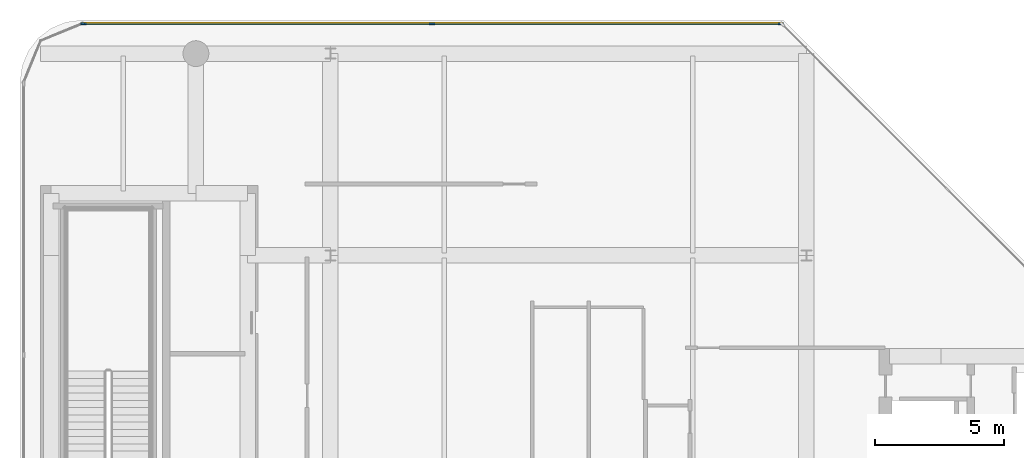
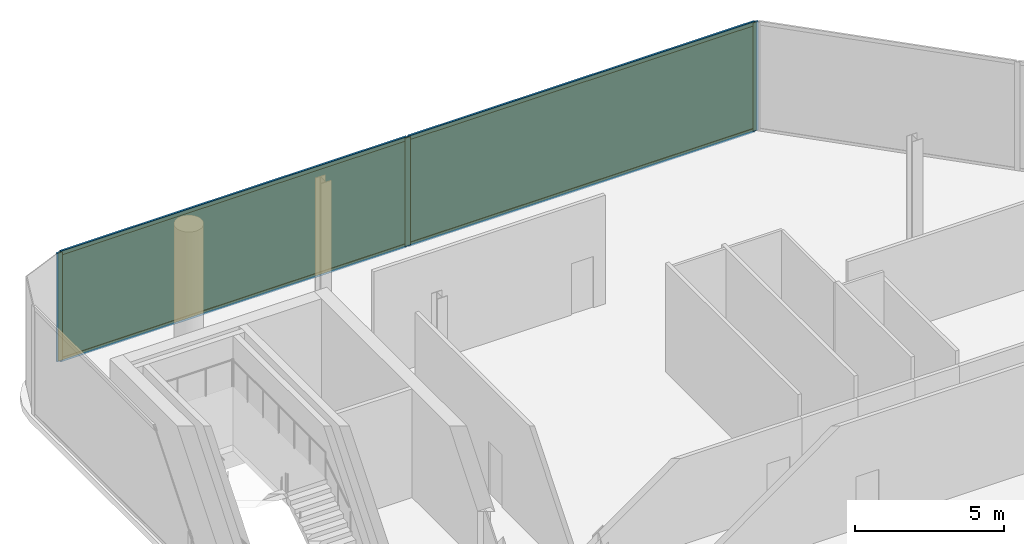
# One storey, part 9 of 14: 7 members, 2 plates, 1 curtain wall.
"""IFC4 building model written with IfcOpenShell, lengths in metres."""

import ifcopenshell
import ifcopenshell.guid

model = None  # the IFC model being written
_history = None  # IfcOwnerHistory: only IFC2X3 demands one
_inside = {}  # id of a spatial element -> (the spatial element, [elements in it])
_under = {}  # id of a project, library or spatial element -> (it, [spatial elements below it])
_declared = {}  # id of a project -> (the project, [libraries it declares])
_typed = {}  # id of a type object -> (the type object, [elements of that type])
_made_of = {}  # id of a material, layer set ... -> (it, [elements and type objects made of it])


def new_model(schema):
    """Start an empty IFC model of exactly this schema.

    Asked for "IFC4X3", IfcOpenShell would pick the latest addendum, in which some entities
    have other attributes; the version numbers below select the first issue.
    IFC2X3 requires an IfcOwnerHistory on every rooted entity: one is made here for all.
    """
    global model, _history
    if schema == "IFC4X3":
        model = ifcopenshell.file(schema_version=(4, 3, 0, 0))
    else:
        model = ifcopenshell.file(schema=schema)
    _inside.clear()
    _under.clear()
    _declared.clear()
    _typed.clear()
    _made_of.clear()
    _history = None
    if model.schema == "IFC2X3":
        org = make("IfcOrganization", Name="unknown")
        user = make(
            "IfcPersonAndOrganization",
            ThePerson=make("IfcPerson", FamilyName="unknown"),
            TheOrganization=org,
        )
        app = make(
            "IfcApplication",
            ApplicationDeveloper=org,
            Version="unknown",
            ApplicationFullName="unknown",
            ApplicationIdentifier="unknown",
        )
        _history = make(
            "IfcOwnerHistory",
            OwningUser=user,
            OwningApplication=app,
            ChangeAction="ADDED",
            CreationDate=0,
        )
    return model


def make(cls, **values):
    """One entity of the class cls with the attributes given. An attribute that is None is left unset."""
    return model.create_entity(
        cls, **{name: value for name, value in values.items() if value is not None}
    )


def rooted(cls, **values):
    """An entity with a GlobalId (a new one), such as an element, a storey or a relation."""
    return make(cls, GlobalId=ifcopenshell.guid.new(), OwnerHistory=_history, **values)


def si_unit(unit_type, name, prefix=None):
    """IfcSIUnit, for example si_unit("LENGTHUNIT", "METRE", prefix="MILLI")."""
    return make("IfcSIUnit", UnitType=unit_type, Prefix=prefix, Name=name)


def assignment(units):
    """IfcUnitAssignment: the units of a project."""
    return None if units is None else make("IfcUnitAssignment", Units=units)


def point(xyz):
    """IfcCartesianPoint."""
    return None if xyz is None else make("IfcCartesianPoint", Coordinates=xyz)


def direction(xyz):
    """IfcDirection."""
    return None if xyz is None else make("IfcDirection", DirectionRatios=xyz)


def frame(location, z_axis=None, x_axis=None):
    """IfcAxis2Placement3D, a coordinate frame: its origin and axes. An axis left out is left unset."""
    return make(
        "IfcAxis2Placement3D",
        Location=point(location),
        Axis=direction(z_axis),
        RefDirection=direction(x_axis),
    )


def frame_2d(location, x_axis=None):
    """IfcAxis2Placement2D, a coordinate frame in the plane: its origin and x axis."""
    return make(
        "IfcAxis2Placement2D", Location=point(location), RefDirection=direction(x_axis)
    )


def origin():
    """The frame at (0, 0, 0) with its axes left unset."""
    return frame((0.0, 0.0, 0.0))


def origin_2d():
    """The frame at (0, 0) in the plane with its x axis left unset."""
    return frame_2d((0.0, 0.0))


def place(relative_to, where):
    """IfcLocalPlacement: puts the frame where relative to a parent placement (None: the world)."""
    return make(
        "IfcLocalPlacement", PlacementRelTo=relative_to, RelativePlacement=where
    )


def context(
    kind, dimensions, precision=None, world=None, true_north=None, identifier=None
):
    """IfcGeometricRepresentationContext, for example the 3D "Model" context."""
    return make(
        "IfcGeometricRepresentationContext",
        ContextIdentifier=identifier,
        ContextType=kind,
        CoordinateSpaceDimension=dimensions,
        Precision=precision,
        WorldCoordinateSystem=world,
        TrueNorth=true_north,
    )


def subcontext(parent, identifier, kind, view, scale=None):
    """IfcGeometricRepresentationSubContext, for example "Body" below "Model"."""
    return make(
        "IfcGeometricRepresentationSubContext",
        ContextIdentifier=identifier,
        ContextType=kind,
        ParentContext=parent,
        TargetScale=scale,
        TargetView=view,
    )


def project(units=None, contexts=None):
    """IfcProject with its units and contexts."""
    return rooted(
        "IfcProject",
        Name="project",
        RepresentationContexts=contexts,
        UnitsInContext=assignment(units),
    )


def spatial(cls, under=None, at=None, **own):
    """A site, building, storey or space (cls), placed at a placement, below another one or the project."""
    s = rooted(cls, ObjectPlacement=at, **own)
    if under is not None:
        _under.setdefault(under.id(), (under, []))[1].append(s)
    return s


def profile(cls, at=None, kind="AREA", **sizes):
    """A parametric profile (cls). Its sizes go by their IFC names, for example OverallWidth=200.0."""
    return make(cls, ProfileType=kind, Position=at, **sizes)


def rectangle(**sizes):
    """IfcRectangleProfileDef."""
    return profile("IfcRectangleProfileDef", **sizes)


def extrude(swept, where, along, depth):
    """IfcExtrudedAreaSolid: the profile swept, set in the frame where, extruded along a direction by depth."""
    return make(
        "IfcExtrudedAreaSolid",
        SweptArea=swept,
        Position=where,
        ExtrudedDirection=direction(along),
        Depth=depth,
    )


def shape(context_of_items, identifier, shape_type, items):
    """IfcShapeRepresentation: the items that make up one representation, for example the "Body"."""
    return make(
        "IfcShapeRepresentation",
        ContextOfItems=context_of_items,
        RepresentationIdentifier=identifier,
        RepresentationType=shape_type,
        Items=items,
    )


def material(Name=None, Category=None):
    """IfcMaterial."""
    return make("IfcMaterial", Name=Name, Category=Category)


def layer(
    of_material, thickness, ventilated=None, Name=None, Category=None, Priority=None
):
    """IfcMaterialLayer: one layer of a wall or slab, of a material (None: an air gap)."""
    return make(
        "IfcMaterialLayer",
        Material=of_material,
        LayerThickness=thickness,
        IsVentilated=ventilated,
        Name=Name,
        Category=Category,
        Priority=Priority,
    )


def layer_set(layers, Name=None):
    """IfcMaterialLayerSet."""
    return make("IfcMaterialLayerSet", MaterialLayers=layers, LayerSetName=Name)


def material_profile(
    of_material, cross_section, Name=None, Category=None, Priority=None
):
    """IfcMaterialProfile: a cross section and its material."""
    return make(
        "IfcMaterialProfile",
        Name=Name,
        Material=of_material,
        Profile=cross_section,
        Priority=Priority,
        Category=Category,
    )


def profile_set(profiles, Name=None, composite=None):
    """IfcMaterialProfileSet."""
    return make(
        "IfcMaterialProfileSet",
        Name=Name,
        MaterialProfiles=profiles,
        CompositeProfile=composite,
    )


def made_of(thing, what):
    """Note that an element or type object is made of a material, layer set ...; save() writes the relation."""
    if what is not None:
        _made_of.setdefault(what.id(), (what, []))[1].append(thing)
    return thing


def type_object(cls, material=None, **own):
    """A type object (cls), such as IfcWallType, which elements share."""
    return made_of(rooted(cls, **own), material)


def element(
    cls,
    number,
    at=None,
    inside=None,
    cuts=None,
    type_object=None,
    material=None,
    context=None,
    identifier="Body",
    shape_type=None,
    held_by="IfcProductDefinitionShape",
    body=None,
    shapes=None,
    **own,
):
    """One element of the class cls, such as IfcWall. Its Tag is "e" and its number.

    at: its placement. inside: the storey or other place that contains it. cuts: it is an
    opening in that element (IfcRelVoidsElement). A single representation is given by context,
    identifier, shape_type and body (its items); several are given by shapes. held_by: the class
    of the entity that holds the representations. save() writes the other relations.
    """
    e = rooted(cls, Tag="e%d" % number, ObjectPlacement=at, **own)
    if body is not None:
        shapes = [shape(context, identifier, shape_type, body)]
    if shapes is not None:
        e.Representation = make(held_by, Representations=shapes)
    if inside is not None:
        _inside.setdefault(inside.id(), (inside, []))[1].append(e)
    if cuts is not None:
        rooted(
            "IfcRelVoidsElement", RelatingBuildingElement=cuts, RelatedOpeningElement=e
        )
    if type_object is not None:
        _typed.setdefault(type_object.id(), (type_object, []))[1].append(e)
    return made_of(e, material)


def aggregate(whole, parts):
    """IfcRelAggregates: a whole, such as a stair, and the parts it consists of."""
    return rooted("IfcRelAggregates", RelatingObject=whole, RelatedObjects=parts)


def save(model, path):
    """Write the relations noted so far, then the file.

    IfcRelAggregates (storeys below a building ...), IfcRelContainedInSpatialStructure (elements
    in a storey), IfcRelDefinesByType, IfcRelAssociatesMaterial and IfcRelDeclares: one each for
    every whole, place, type object, material and project.
    """
    for whole, parts in _under.values():
        aggregate(whole, parts)
    for where, things in _inside.values():
        rooted(
            "IfcRelContainedInSpatialStructure",
            RelatedElements=things,
            RelatingStructure=where,
        )
    for kind, things in _typed.values():
        rooted("IfcRelDefinesByType", RelatedObjects=things, RelatingType=kind)
    for what, things in _made_of.values():
        rooted("IfcRelAssociatesMaterial", RelatedObjects=things, RelatingMaterial=what)
    for by, libraries in _declared.values():
        rooted("IfcRelDeclares", RelatingContext=by, RelatedDefinitions=libraries)
    model.write(path)


model = new_model("IFC4")

# Units and contexts
model_context = context("Model", 3, precision=1e-05, world=origin(), true_north=direction((0.0, 1.0)))
body_context = subcontext(model_context, "Body", "Model", "MODEL_VIEW")
ifc_project = project(units=[si_unit("LENGTHUNIT", "METRE"), si_unit("AREAUNIT", "SQUARE_METRE"), si_unit("VOLUMEUNIT", "CUBIC_METRE"), si_unit("PLANEANGLEUNIT", "RADIAN"), si_unit("MASSUNIT", "GRAM", prefix="KILO")], contexts=[model_context])

# Member
ifc_material_1 = material(Name="Anodised Bronze Aluminium 6063-T6", Category="aluminium")
ifc_material_profile_1 = material_profile(ifc_material_1, rectangle(XDim=0.074951171875, YDim=0.2099609375, at=origin_2d()))
ifc_profile_set_1 = profile_set([ifc_material_profile_1], Name="Anodised Bronze Aluminium 6063-T6")
member_type_1 = type_object("IfcMemberType", Name="CW-CRN Mullion 75x210", PredefinedType="MULLION", material=ifc_profile_set_1)
site_placement = place(None, origin())
building_placement = place(site_placement, origin())
storey_placement = place(building_placement, frame((0.0, 0.0, 320.39990234375)))
member_1_placement = place(storey_placement, frame((-18.75341796875, 19.760009765625, 0.0), z_axis=(0.0, 0.0, 1.0), x_axis=(0.0, 1.0, 0.0)))
member_1 = element("IfcMember", 1, at=member_1_placement, type_object=member_type_1, Name="CW-CRN mullion 1", PredefinedType="MULLION", context=body_context, shape_type="SweptSolid", body=[
    extrude(rectangle(XDim=0.074951171875, YDim=0.2099609375, at=origin_2d()), origin(), (0.0, 0.0, 1.0), 4.4501953125),
])

member_2_placement = place(storey_placement, frame((-5.2744140625, 19.760009765625, 0.0), z_axis=(0.0, 0.0, 1.0), x_axis=(0.0, 1.0, 0.0)))
member_2 = element("IfcMember", 2, at=member_2_placement, type_object=member_type_1, Name="CW-CRN mullion 2", PredefinedType="MULLION", context=body_context, shape_type="SweptSolid", body=[
    extrude(rectangle(XDim=0.074951171875, YDim=0.2099609375, at=origin_2d()), origin(), (0.0, 0.0, 1.0), 4.4501953125),
])

member_3_placement = place(storey_placement, frame((8.20458984375, 19.760009765625, 0.0), z_axis=(0.0, 0.0, 1.0), x_axis=(0.0, 1.0, 0.0)))
member_3 = element("IfcMember", 3, at=member_3_placement, type_object=member_type_1, Name="CW-CRN mullion 3", PredefinedType="MULLION", context=body_context, shape_type="SweptSolid", body=[
    extrude(rectangle(XDim=0.074951171875, YDim=0.2099609375, at=origin_2d()), origin(), (0.0, 0.0, 1.0), 4.4501953125),
])

ifc_material_2 = material(Name="Anodised Bronze Aluminium 6063-T6", Category="aluminium")
ifc_material_profile_2 = material_profile(ifc_material_2, rectangle(XDim=0.074951171875, YDim=0.1650390625, at=origin_2d()))
ifc_profile_set_2 = profile_set([ifc_material_profile_2], Name="Anodised Bronze Aluminium 6063-T6")
member_type_2 = type_object("IfcMemberType", Name="CW-CRN Transom 75x165", PredefinedType="USERDEFINED", material=ifc_profile_set_2)
member_4_placement = place(storey_placement, frame((-18.7158203125, 19.760009765625, 0.03759765625), z_axis=(1.0, 0.0, 0.0), x_axis=(0.0, 1.0, 0.0)))
member_4 = element("IfcMember", 4, at=member_4_placement, type_object=member_type_2, Name="CW-CRN transom 1.1", ObjectType="TRANSOM", PredefinedType="USERDEFINED", context=body_context, shape_type="SweptSolid", body=[
    extrude(rectangle(XDim=0.074951171875, YDim=0.1650390625, at=origin_2d()), origin(), (0.0, 0.0, 1.0), 13.40380859375),
])

member_5_placement = place(storey_placement, frame((-18.7158203125, 19.760009765625, 4.41259765625), z_axis=(1.0, 0.0, 0.0), x_axis=(0.0, 1.0, 0.0)))
member_5 = element("IfcMember", 5, at=member_5_placement, type_object=member_type_2, Name="CW-CRN transom 1.2", ObjectType="TRANSOM", PredefinedType="USERDEFINED", context=body_context, shape_type="SweptSolid", body=[
    extrude(rectangle(XDim=0.074951171875, YDim=0.1650390625, at=origin_2d()), origin(), (0.0, 0.0, 1.0), 13.40380859375),
])

member_6_placement = place(storey_placement, frame((-5.23681640625, 19.760009765625, 0.03759765625), z_axis=(1.0, 0.0, 0.0), x_axis=(0.0, 1.0, 0.0)))
member_6 = element("IfcMember", 6, at=member_6_placement, type_object=member_type_2, Name="CW-CRN transom 2.1", ObjectType="TRANSOM", PredefinedType="USERDEFINED", context=body_context, shape_type="SweptSolid", body=[
    extrude(rectangle(XDim=0.074951171875, YDim=0.1650390625, at=origin_2d()), origin(), (0.0, 0.0, 1.0), 13.40380859375),
])

member_7_placement = place(storey_placement, frame((-5.23681640625, 19.760009765625, 4.41259765625), z_axis=(1.0, 0.0, 0.0), x_axis=(0.0, 1.0, 0.0)))
member_7 = element("IfcMember", 7, at=member_7_placement, type_object=member_type_2, Name="CW-CRN transom 2.2", ObjectType="TRANSOM", PredefinedType="USERDEFINED", context=body_context, shape_type="SweptSolid", body=[
    extrude(rectangle(XDim=0.074951171875, YDim=0.1650390625, at=origin_2d()), origin(), (0.0, 0.0, 1.0), 13.40380859375),
])

# Plate
ifc_material_3 = material(Name="Low-E Solar Control Laminated Glass", Category="glass")
ifc_layer_1 = layer(ifc_material_3, 0.035888671875, Name="Low-E Solar Control Laminated Glass")
ifc_layer_set_1 = layer_set([ifc_layer_1], Name="Low-E Solar Control Laminated Glass")
plate_type = type_object("IfcPlateType", Name="CW-CRN Low-E Double Glazed Panel 36mm", PredefinedType="CURTAIN_PANEL", material=ifc_layer_set_1)
plate_1_placement = place(storey_placement, frame((-12.013916015625, 19.760009765625, 0.0751953125), z_axis=(0.0, 0.0, 1.0), x_axis=(1.0, 0.0, 0.0)))
plate_1 = element("IfcPlate", 8, at=plate_1_placement, type_object=plate_type, Name="CW-CRN panel 1.1", PredefinedType="CURTAIN_PANEL", context=body_context, shape_type="SweptSolid", body=[
    extrude(rectangle(XDim=13.40380859375, YDim=0.035888671875, at=origin_2d()), origin(), (0.0, 0.0, 1.0), 4.300048828125),
])

plate_2_placement = place(storey_placement, frame((1.465087890625, 19.760009765625, 0.0751953125), z_axis=(0.0, 0.0, 1.0), x_axis=(1.0, 0.0, 0.0)))
plate_2 = element("IfcPlate", 9, at=plate_2_placement, type_object=plate_type, Name="CW-CRN panel 2.1", PredefinedType="CURTAIN_PANEL", context=body_context, shape_type="SweptSolid", body=[
    extrude(rectangle(XDim=13.40380859375, YDim=0.035888671875, at=origin_2d()), origin(), (0.0, 0.0, 1.0), 4.300048828125),
])

# Site, building, storey
site = spatial("IfcSite", under=ifc_project, at=site_placement, CompositionType="ELEMENT")
building = spatial("IfcBuilding", under=site, at=building_placement, Name="Khairoan Windgate Tower", CompositionType="ELEMENT")
storey = spatial("IfcBuildingStorey", under=building, at=storey_placement, Name="L77", CompositionType="ELEMENT", Elevation=320.39990234375)

# Curtain wall
ifc_material_4 = material(Name="Anodised Bronze Aluminium 6063-T6", Category="aluminium")
ifc_layer_2 = layer(ifc_material_4, 0.2099609375, Name="Anodised Bronze Aluminium 6063-T6")
ifc_layer_set_2 = layer_set([ifc_layer_2], Name="Anodised Bronze Aluminium 6063-T6")
curtain_wall_type = type_object("IfcCurtainWallType", Name="Crown Observation and Vitrine Curtain Wall CW-CRN", PredefinedType="NOTDEFINED", material=ifc_layer_set_2)
curtain_wall_placement = place(storey_placement, frame((-18.790771484375, 19.760009765625, 0.0), z_axis=(0.0, 0.0, 1.0), x_axis=(1.0, 0.0, 0.0)))
curtain_wall = element("IfcCurtainWall", 10, at=curtain_wall_placement, inside=storey, type_object=curtain_wall_type, Name="L77 Unitised Curtain Wall 6", PredefinedType="NOTDEFINED", context=body_context, shape_type="SweptSolid", body=[
    extrude(rectangle(XDim=27.03271484375, YDim=0.010009765625, at=frame_2d((13.516357421875, 0.0))), origin(), (0.0, 0.0, 1.0), 4.4501953125),
])

aggregate(curtain_wall, [member_1, member_2, member_3, member_4, member_5, plate_1, member_6, member_7, plate_2])

save(model, "model.ifc")
